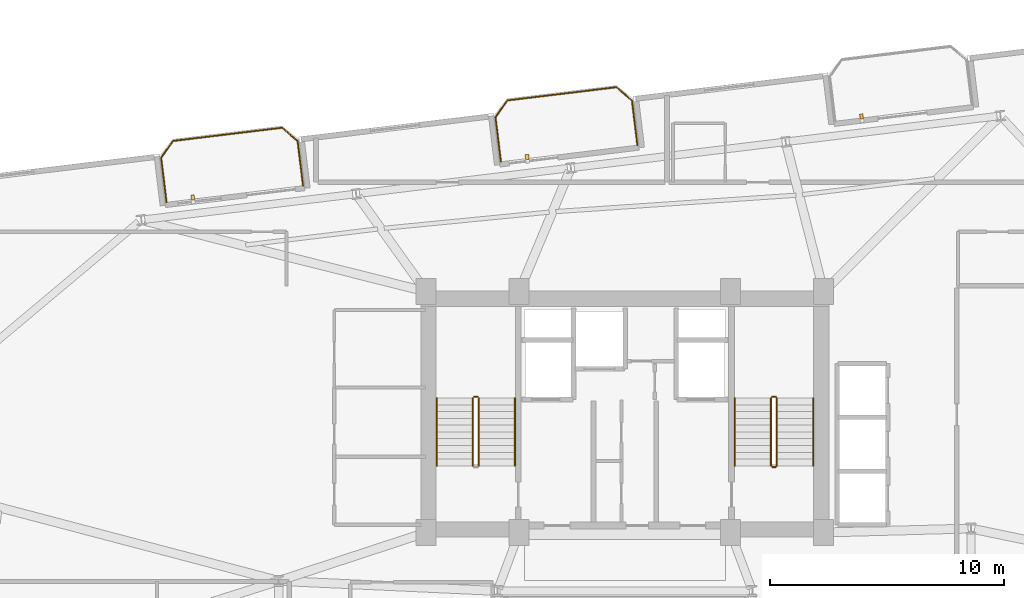
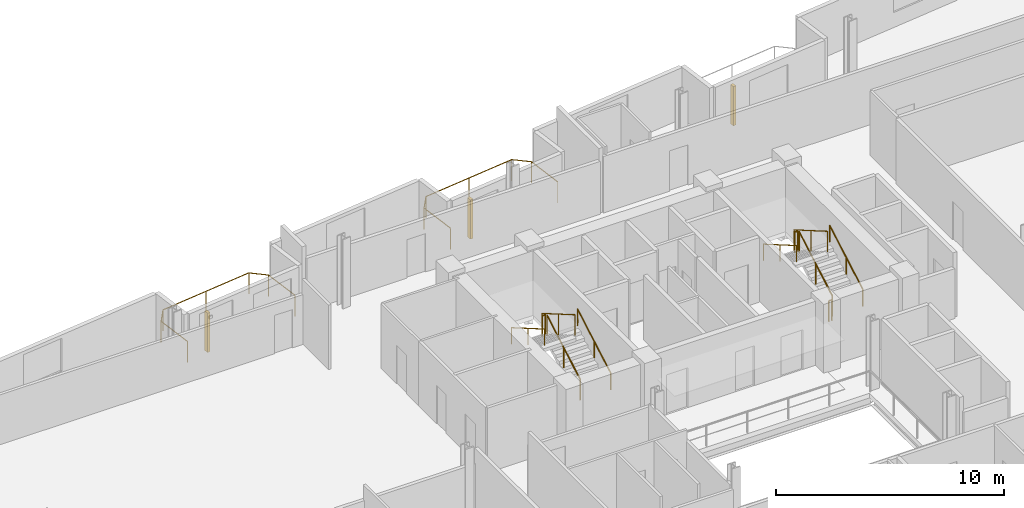
# One storey, part 22 of 23: 13 railings, 3 shading devices.
"""IFC4 building model written with IfcOpenShell, lengths in metres."""

import ifcopenshell
import ifcopenshell.guid

model = None  # the IFC model being written
_history = None  # IfcOwnerHistory: only IFC2X3 demands one
_inside = {}  # id of a spatial element -> (the spatial element, [elements in it])
_under = {}  # id of a project, library or spatial element -> (it, [spatial elements below it])
_declared = {}  # id of a project -> (the project, [libraries it declares])
_typed = {}  # id of a type object -> (the type object, [elements of that type])
_made_of = {}  # id of a material, layer set ... -> (it, [elements and type objects made of it])


def new_model(schema):
    """Start an empty IFC model of exactly this schema.

    Asked for "IFC4X3", IfcOpenShell would pick the latest addendum, in which some entities
    have other attributes; the version numbers below select the first issue.
    IFC2X3 requires an IfcOwnerHistory on every rooted entity: one is made here for all.
    """
    global model, _history
    if schema == "IFC4X3":
        model = ifcopenshell.file(schema_version=(4, 3, 0, 0))
    else:
        model = ifcopenshell.file(schema=schema)
    _inside.clear()
    _under.clear()
    _declared.clear()
    _typed.clear()
    _made_of.clear()
    _history = None
    if model.schema == "IFC2X3":
        org = make("IfcOrganization", Name="unknown")
        user = make(
            "IfcPersonAndOrganization",
            ThePerson=make("IfcPerson", FamilyName="unknown"),
            TheOrganization=org,
        )
        app = make(
            "IfcApplication",
            ApplicationDeveloper=org,
            Version="unknown",
            ApplicationFullName="unknown",
            ApplicationIdentifier="unknown",
        )
        _history = make(
            "IfcOwnerHistory",
            OwningUser=user,
            OwningApplication=app,
            ChangeAction="ADDED",
            CreationDate=0,
        )
    return model


def make(cls, **values):
    """One entity of the class cls with the attributes given. An attribute that is None is left unset."""
    return model.create_entity(
        cls, **{name: value for name, value in values.items() if value is not None}
    )


def rooted(cls, **values):
    """An entity with a GlobalId (a new one), such as an element, a storey or a relation."""
    return make(cls, GlobalId=ifcopenshell.guid.new(), OwnerHistory=_history, **values)


def si_unit(unit_type, name, prefix=None):
    """IfcSIUnit, for example si_unit("LENGTHUNIT", "METRE", prefix="MILLI")."""
    return make("IfcSIUnit", UnitType=unit_type, Prefix=prefix, Name=name)


def assignment(units):
    """IfcUnitAssignment: the units of a project."""
    return None if units is None else make("IfcUnitAssignment", Units=units)


def point(xyz):
    """IfcCartesianPoint."""
    return None if xyz is None else make("IfcCartesianPoint", Coordinates=xyz)


def direction(xyz):
    """IfcDirection."""
    return None if xyz is None else make("IfcDirection", DirectionRatios=xyz)


def frame(location, z_axis=None, x_axis=None):
    """IfcAxis2Placement3D, a coordinate frame: its origin and axes. An axis left out is left unset."""
    return make(
        "IfcAxis2Placement3D",
        Location=point(location),
        Axis=direction(z_axis),
        RefDirection=direction(x_axis),
    )


def frame_2d(location, x_axis=None):
    """IfcAxis2Placement2D, a coordinate frame in the plane: its origin and x axis."""
    return make(
        "IfcAxis2Placement2D", Location=point(location), RefDirection=direction(x_axis)
    )


def origin():
    """The frame at (0, 0, 0) with its axes left unset."""
    return frame((0.0, 0.0, 0.0))


def origin_2d():
    """The frame at (0, 0) in the plane with its x axis left unset."""
    return frame_2d((0.0, 0.0))


def place(relative_to, where):
    """IfcLocalPlacement: puts the frame where relative to a parent placement (None: the world)."""
    return make(
        "IfcLocalPlacement", PlacementRelTo=relative_to, RelativePlacement=where
    )


def context(
    kind, dimensions, precision=None, world=None, true_north=None, identifier=None
):
    """IfcGeometricRepresentationContext, for example the 3D "Model" context."""
    return make(
        "IfcGeometricRepresentationContext",
        ContextIdentifier=identifier,
        ContextType=kind,
        CoordinateSpaceDimension=dimensions,
        Precision=precision,
        WorldCoordinateSystem=world,
        TrueNorth=true_north,
    )


def subcontext(parent, identifier, kind, view, scale=None):
    """IfcGeometricRepresentationSubContext, for example "Body" below "Model"."""
    return make(
        "IfcGeometricRepresentationSubContext",
        ContextIdentifier=identifier,
        ContextType=kind,
        ParentContext=parent,
        TargetScale=scale,
        TargetView=view,
    )


def project(units=None, contexts=None):
    """IfcProject with its units and contexts."""
    return rooted(
        "IfcProject",
        Name="project",
        RepresentationContexts=contexts,
        UnitsInContext=assignment(units),
    )


def spatial(cls, under=None, at=None, **own):
    """A site, building, storey or space (cls), placed at a placement, below another one or the project."""
    s = rooted(cls, ObjectPlacement=at, **own)
    if under is not None:
        _under.setdefault(under.id(), (under, []))[1].append(s)
    return s


def profile(cls, at=None, kind="AREA", **sizes):
    """A parametric profile (cls). Its sizes go by their IFC names, for example OverallWidth=200.0."""
    return make(cls, ProfileType=kind, Position=at, **sizes)


def rectangle(**sizes):
    """IfcRectangleProfileDef."""
    return profile("IfcRectangleProfileDef", **sizes)


def circle(**sizes):
    """IfcCircleProfileDef."""
    return profile("IfcCircleProfileDef", **sizes)


def extrude(swept, where, along, depth):
    """IfcExtrudedAreaSolid: the profile swept, set in the frame where, extruded along a direction by depth."""
    return make(
        "IfcExtrudedAreaSolid",
        SweptArea=swept,
        Position=where,
        ExtrudedDirection=direction(along),
        Depth=depth,
    )


def shape(context_of_items, identifier, shape_type, items):
    """IfcShapeRepresentation: the items that make up one representation, for example the "Body"."""
    return make(
        "IfcShapeRepresentation",
        ContextOfItems=context_of_items,
        RepresentationIdentifier=identifier,
        RepresentationType=shape_type,
        Items=items,
    )


def source(mapping_origin, context_of_items, identifier, shape_type, items):
    """IfcRepresentationMap: a shape defined once, which mapped items show again and again."""
    return make(
        "IfcRepresentationMap",
        MappingOrigin=mapping_origin,
        MappedRepresentation=shape(context_of_items, identifier, shape_type, items),
    )


def transform(
    local_origin,
    x_axis=None,
    y_axis=None,
    z_axis=None,
    scale=None,
    scale2=None,
    scale3=None,
    uniform=True,
):
    """IfcCartesianTransformationOperator3D, or its non-uniform kind. x_axis, y_axis, z_axis: its Axis1, 2, 3."""
    if uniform:
        return make(
            "IfcCartesianTransformationOperator3D",
            Axis1=direction(x_axis),
            Axis2=direction(y_axis),
            LocalOrigin=point(local_origin),
            Scale=scale,
            Axis3=direction(z_axis),
        )
    return make(
        "IfcCartesianTransformationOperator3DnonUniform",
        Axis1=direction(x_axis),
        Axis2=direction(y_axis),
        LocalOrigin=point(local_origin),
        Scale=scale,
        Axis3=direction(z_axis),
        Scale2=scale2,
        Scale3=scale3,
    )


def mapped(mapping_source, mapping_target):
    """IfcMappedItem: shows the shape of a source again, moved by a transform."""
    return make(
        "IfcMappedItem", MappingSource=mapping_source, MappingTarget=mapping_target
    )


def material(Name=None, Category=None):
    """IfcMaterial."""
    return make("IfcMaterial", Name=Name, Category=Category)


def made_of(thing, what):
    """Note that an element or type object is made of a material, layer set ...; save() writes the relation."""
    if what is not None:
        _made_of.setdefault(what.id(), (what, []))[1].append(thing)
    return thing


def type_object(cls, material=None, **own):
    """A type object (cls), such as IfcWallType, which elements share."""
    return made_of(rooted(cls, **own), material)


def element(
    cls,
    number,
    at=None,
    inside=None,
    cuts=None,
    type_object=None,
    material=None,
    context=None,
    identifier="Body",
    shape_type=None,
    held_by="IfcProductDefinitionShape",
    body=None,
    shapes=None,
    **own,
):
    """One element of the class cls, such as IfcWall. Its Tag is "e" and its number.

    at: its placement. inside: the storey or other place that contains it. cuts: it is an
    opening in that element (IfcRelVoidsElement). A single representation is given by context,
    identifier, shape_type and body (its items); several are given by shapes. held_by: the class
    of the entity that holds the representations. save() writes the other relations.
    """
    e = rooted(cls, Tag="e%d" % number, ObjectPlacement=at, **own)
    if body is not None:
        shapes = [shape(context, identifier, shape_type, body)]
    if shapes is not None:
        e.Representation = make(held_by, Representations=shapes)
    if inside is not None:
        _inside.setdefault(inside.id(), (inside, []))[1].append(e)
    if cuts is not None:
        rooted(
            "IfcRelVoidsElement", RelatingBuildingElement=cuts, RelatedOpeningElement=e
        )
    if type_object is not None:
        _typed.setdefault(type_object.id(), (type_object, []))[1].append(e)
    return made_of(e, material)


def aggregate(whole, parts):
    """IfcRelAggregates: a whole, such as a stair, and the parts it consists of."""
    return rooted("IfcRelAggregates", RelatingObject=whole, RelatedObjects=parts)


def save(model, path):
    """Write the relations noted so far, then the file.

    IfcRelAggregates (storeys below a building ...), IfcRelContainedInSpatialStructure (elements
    in a storey), IfcRelDefinesByType, IfcRelAssociatesMaterial and IfcRelDeclares: one each for
    every whole, place, type object, material and project.
    """
    for whole, parts in _under.values():
        aggregate(whole, parts)
    for where, things in _inside.values():
        rooted(
            "IfcRelContainedInSpatialStructure",
            RelatedElements=things,
            RelatingStructure=where,
        )
    for kind, things in _typed.values():
        rooted("IfcRelDefinesByType", RelatedObjects=things, RelatingType=kind)
    for what, things in _made_of.values():
        rooted("IfcRelAssociatesMaterial", RelatedObjects=things, RelatingMaterial=what)
    for by, libraries in _declared.values():
        rooted("IfcRelDeclares", RelatingContext=by, RelatedDefinitions=libraries)
    model.write(path)


model = new_model("IFC4")

# Units and contexts
model_context = context("Model", 3, precision=1e-05, world=origin(), true_north=direction((0.0, 1.0)))
body_context = subcontext(model_context, "Body", "Model", "MODEL_VIEW")
ifc_project = project(units=[si_unit("LENGTHUNIT", "METRE"), si_unit("AREAUNIT", "SQUARE_METRE"), si_unit("VOLUMEUNIT", "CUBIC_METRE"), si_unit("PLANEANGLEUNIT", "RADIAN"), si_unit("MASSUNIT", "GRAM", prefix="KILO")], contexts=[model_context])

# Site, building, storey
site_placement = place(None, origin())
site = spatial("IfcSite", under=ifc_project, at=site_placement, CompositionType="ELEMENT")
building_placement = place(site_placement, origin())
building = spatial("IfcBuilding", under=site, at=building_placement, Name="Varnelok Gate Tower", CompositionType="ELEMENT")
storey_placement = place(building_placement, frame((0.0, 0.0, 189.39990234375)))
storey = spatial("IfcBuildingStorey", under=building, at=storey_placement, Name="L48", CompositionType="ELEMENT", Elevation=189.39990234375)

# Railings
ifc_material_1 = material(Name="Low-E Laminated Double Glazing IGU", Category="glass")
railing_type_1 = type_object("IfcRailingType", Name="RL-BALC-1150", PredefinedType="BALUSTRADE", material=ifc_material_1)
railing_1_placement = place(storey_placement, frame((19.603271484375, 42.869384765625, 0.0)))
element("IfcRailing", 1, at=railing_1_placement, inside=storey, type_object=railing_type_1, Name="L48 North Terrace Balustrade 4", PredefinedType="BALUSTRADE", context=body_context, shape_type="SweptSolid", body=[
    extrude(circle(Radius=0.02392578125, at=origin_2d()), frame((0.0, 0.0, 1.1259765625), z_axis=(-0.120418709125, 0.992723191274, 0.0), x_axis=(-0.992723191274, -0.120418709125, 0.0)), (0.0, 0.0, 1.0), 1.919921875),
    extrude(circle(Radius=0.02392578125, at=origin_2d()), frame((-0.231201171875, 1.906005859375, 1.1259765625), z_axis=(0.57815621837, 0.815926091726, 0.0), x_axis=(-0.815926091726, 0.57815621837, 0.0)), (0.0, 0.0, 1.0), 0.8779296875),
    extrude(circle(Radius=0.02392578125, at=origin_2d()), frame((0.2763671875, 2.622314453125, 1.1259765625), z_axis=(0.992730585037, 0.120357739811, 0.0), x_axis=(-0.120357739811, 0.992730585037, 0.0)), (0.0, 0.0, 1.0), 4.699951171875),
    extrude(circle(Radius=0.02392578125, at=origin_2d()), frame((4.942138671875, 3.18798828125, 1.1259765625), z_axis=(0.756285086452, -0.654242208979, 0.0), x_axis=(0.654242208979, 0.756285086452, 0.0)), (0.0, 0.0, 1.0), 0.878173828125),
    extrude(circle(Radius=0.02392578125, at=origin_2d()), frame((5.606201171875, 2.613525390625, 1.1259765625), z_axis=(0.120293392036, -0.992738384386, 0.0), x_axis=(0.992738384386, 0.120293392036, 0.0)), (0.0, 0.0, 1.0), 1.919921875),
    extrude(circle(Radius=0.02099609375, at=origin_2d()), origin(), (0.0, 0.0, 1.0), 1.101806640625),
    extrude(circle(Radius=0.02099609375, at=origin_2d()), frame((-0.231201171875, 1.906005859375, 0.0)), (0.0, 0.0, 1.0), 1.101806640625),
    extrude(circle(Radius=0.02099609375, at=origin_2d()), frame((0.2763671875, 2.622314453125, 0.0)), (0.0, 0.0, 1.0), 1.101806640625),
    extrude(circle(Radius=0.02099609375, at=origin_2d()), frame((2.609375, 2.9052734375, 0.0)), (0.0, 0.0, 1.0), 1.101806640625),
    extrude(circle(Radius=0.02099609375, at=origin_2d()), frame((4.942138671875, 3.18798828125, 0.0)), (0.0, 0.0, 1.0), 1.101806640625),
    extrude(circle(Radius=0.02099609375, at=origin_2d()), frame((5.606201171875, 2.613525390625, 0.0)), (0.0, 0.0, 1.0), 1.101806640625),
    extrude(circle(Radius=0.02099609375, at=origin_2d()), frame((5.837158203125, 0.70751953125, 0.0)), (0.0, 0.0, 1.0), 1.101806640625),
])
railing_2_placement = place(storey_placement, frame((33.8984375, 44.602294921875, 0.0)))
element("IfcRailing", 2, at=railing_2_placement, inside=storey, type_object=railing_type_1, Name="L48 North Terrace Balustrade 5", PredefinedType="BALUSTRADE", context=body_context, shape_type="SweptSolid", body=[
    extrude(circle(Radius=0.02392578125, at=origin_2d()), frame((0.0, 0.0, 1.1259765625), z_axis=(-0.120293392036, 0.992738384386, 0.0), x_axis=(-0.992738384386, -0.120293392036, 0.0)), (0.0, 0.0, 1.0), 1.919921875),
    extrude(circle(Radius=0.02392578125, at=origin_2d()), frame((-0.23095703125, 1.906005859375, 1.1259765625), z_axis=(0.57815621837, 0.815926091726, 0.0), x_axis=(-0.815926091726, 0.57815621837, 0.0)), (0.0, 0.0, 1.0), 0.8779296875),
    extrude(circle(Radius=0.02392578125, at=origin_2d()), frame((0.276611328125, 2.622314453125, 1.1259765625), z_axis=(0.992730585037, 0.120357739811, 0.0), x_axis=(-0.120357739811, 0.992730585037, 0.0)), (0.0, 0.0, 1.0), 4.699951171875),
    extrude(circle(Radius=0.02392578125, at=origin_2d()), frame((4.9423828125, 3.18798828125, 1.1259765625), z_axis=(0.756303655992, -0.654220742513, 0.0), x_axis=(0.654220742513, 0.756303655992, 0.0)), (0.0, 0.0, 1.0), 0.877685546875),
    extrude(circle(Radius=0.02392578125, at=origin_2d()), frame((5.606201171875, 2.61376953125, 1.1259765625), z_axis=(0.12040351024, -0.992725034802, 0.0), x_axis=(0.992725034802, 0.12040351024, 0.0)), (0.0, 0.0, 1.0), 1.920166015625),
    extrude(circle(Radius=0.02099609375, at=origin_2d()), origin(), (0.0, 0.0, 1.0), 1.101806640625),
    extrude(circle(Radius=0.02099609375, at=origin_2d()), frame((-0.23095703125, 1.906005859375, 0.0)), (0.0, 0.0, 1.0), 1.101806640625),
    extrude(circle(Radius=0.02099609375, at=origin_2d()), frame((0.276611328125, 2.622314453125, 0.0)), (0.0, 0.0, 1.0), 1.101806640625),
    extrude(circle(Radius=0.02099609375, at=origin_2d()), frame((2.609375, 2.9052734375, 0.0)), (0.0, 0.0, 1.0), 1.101806640625),
    extrude(circle(Radius=0.02099609375, at=origin_2d()), frame((4.9423828125, 3.18798828125, 0.0)), (0.0, 0.0, 1.0), 1.101806640625),
    extrude(circle(Radius=0.02099609375, at=origin_2d()), frame((5.606201171875, 2.61376953125, 0.0)), (0.0, 0.0, 1.0), 1.101806640625),
    extrude(circle(Radius=0.02099609375, at=origin_2d()), frame((5.83740234375, 0.70751953125, 0.0)), (0.0, 0.0, 1.0), 1.101806640625),
])
ifc_material_2 = material(Name="Brushed Stainless Steel AISI 316", Category="steel")
railing_type_2 = type_object("IfcRailingType", Name="RL-HANDRAIL-900", PredefinedType="HANDRAIL", material=ifc_material_2)
railing_3_placement = place(storey_placement, frame((34.5, 31.60009765625, 0.168212890625)))
element("IfcRailing", 3, at=railing_3_placement, inside=storey, type_object=railing_type_2, Name="L48 ST-1 stair handrail 1", PredefinedType="HANDRAIL", context=body_context, shape_type="SweptSolid", body=[
    extrude(circle(Radius=0.02392578125, at=origin_2d()), frame((0.0, 0.0, 0.8759765625), z_axis=(0.0, 0.865038774852, 0.501705010941), x_axis=(-1.0, 0.0, 0.0)), (0.0, 0.0, 1.0), 3.352294921875),
    extrude(circle(Radius=0.02099609375, at=origin_2d()), origin(), (0.0, 0.0, 1.0), 0.851806640625),
    extrude(circle(Radius=0.02099609375, at=origin_2d()), frame((0.0, 1.449951171875, 0.8408203125)), (0.0, 0.0, 1.0), 0.851806640625),
    extrude(circle(Radius=0.02099609375, at=origin_2d()), frame((0.0, 2.89990234375, 1.681884765625)), (0.0, 0.0, 1.0), 0.851806640625),
])
railing_4_placement = place(storey_placement, frame((31.14990234375, 34.5, 2.018310546875)))
element("IfcRailing", 4, at=railing_4_placement, inside=storey, type_object=railing_type_2, Name="L48 ST-1 stair handrail 2", PredefinedType="HANDRAIL", context=body_context, shape_type="SweptSolid", body=[
    extrude(circle(Radius=0.02392578125, at=origin_2d()), frame((0.0, 0.0, 0.8759765625), z_axis=(0.0, -0.865038774852, 0.501705010941), x_axis=(1.0, 0.0, 0.0)), (0.0, 0.0, 1.0), 3.352294921875),
    extrude(circle(Radius=0.02099609375, at=origin_2d()), origin(), (0.0, 0.0, 1.0), 0.851806640625),
    extrude(circle(Radius=0.02099609375, at=origin_2d()), frame((0.0, -1.449951171875, 0.8408203125)), (0.0, 0.0, 1.0), 0.851806640625),
    extrude(circle(Radius=0.02099609375, at=origin_2d()), frame((0.0, -2.89990234375, 1.681884765625)), (0.0, 0.0, 1.0), 0.851806640625),
])
railing_5_placement = place(storey_placement, frame((47.25, 31.60009765625, 0.168212890625)))
element("IfcRailing", 5, at=railing_5_placement, inside=storey, type_object=railing_type_2, Name="L48 ST-2 stair handrail 1", PredefinedType="HANDRAIL", context=body_context, shape_type="SweptSolid", body=[
    extrude(circle(Radius=0.02392578125, at=origin_2d()), frame((0.0, 0.0, 0.8759765625), z_axis=(0.0, 0.865038774852, 0.501705010941), x_axis=(-1.0, 0.0, 0.0)), (0.0, 0.0, 1.0), 3.352294921875),
    extrude(circle(Radius=0.02099609375, at=origin_2d()), origin(), (0.0, 0.0, 1.0), 0.851806640625),
    extrude(circle(Radius=0.02099609375, at=origin_2d()), frame((0.0, 1.449951171875, 0.8408203125)), (0.0, 0.0, 1.0), 0.851806640625),
    extrude(circle(Radius=0.02099609375, at=origin_2d()), frame((0.0, 2.89990234375, 1.681884765625)), (0.0, 0.0, 1.0), 0.851806640625),
])
railing_6_placement = place(storey_placement, frame((43.89990234375, 34.5, 2.018310546875)))
element("IfcRailing", 6, at=railing_6_placement, inside=storey, type_object=railing_type_2, Name="L48 ST-2 stair handrail 2", PredefinedType="HANDRAIL", context=body_context, shape_type="SweptSolid", body=[
    extrude(circle(Radius=0.02392578125, at=origin_2d()), frame((0.0, 0.0, 0.8759765625), z_axis=(0.0, -0.865038774852, 0.501705010941), x_axis=(1.0, 0.0, 0.0)), (0.0, 0.0, 1.0), 3.352294921875),
    extrude(circle(Radius=0.02099609375, at=origin_2d()), origin(), (0.0, 0.0, 1.0), 0.851806640625),
    extrude(circle(Radius=0.02099609375, at=origin_2d()), frame((0.0, -1.449951171875, 0.8408203125)), (0.0, 0.0, 1.0), 0.851806640625),
    extrude(circle(Radius=0.02099609375, at=origin_2d()), frame((0.0, -2.89990234375, 1.681884765625)), (0.0, 0.0, 1.0), 0.851806640625),
])
ifc_material_3 = material(Name="Galvanized Steel Grade S350GD", Category="steel")
railing_type_3 = type_object("IfcRailingType", Name="RL-STAIR-GUARD1120", PredefinedType="GUARDRAIL", material=ifc_material_3)
railing_7_placement = place(storey_placement, frame((32.949951171875, 31.60009765625, 0.168212890625)))
element("IfcRailing", 7, at=railing_7_placement, inside=storey, type_object=railing_type_3, Name="L48 ST-1 stair guard 1", PredefinedType="GUARDRAIL", context=body_context, shape_type="SweptSolid", body=[
    extrude(circle(Radius=0.02392578125, at=origin_2d()), frame((0.0, 0.0, 1.09619140625), z_axis=(0.0, 0.865038774852, 0.501705010941), x_axis=(-1.0, 0.0, 0.0)), (0.0, 0.0, 1.0), 3.352294921875),
    extrude(circle(Radius=0.02099609375, at=origin_2d()), origin(), (0.0, 0.0, 1.0), 1.072021484375),
    extrude(circle(Radius=0.02099609375, at=origin_2d()), frame((0.0, 1.449951171875, 0.8408203125)), (0.0, 0.0, 1.0), 1.072021484375),
    extrude(circle(Radius=0.02099609375, at=origin_2d()), frame((0.0, 2.89990234375, 1.681884765625)), (0.0, 0.0, 1.0), 1.072021484375),
])
railing_8_placement = place(storey_placement, frame((32.89990234375, 34.550048828125, 1.85009765625)))
element("IfcRailing", 8, at=railing_8_placement, inside=storey, type_object=railing_type_3, Name="L48 ST-1 stair guard 2", PredefinedType="GUARDRAIL", context=body_context, shape_type="SweptSolid", body=[
    extrude(circle(Radius=0.02392578125, at=origin_2d()), frame((0.0, 0.0, 1.09619140625), z_axis=(-1.0, 0.0, 0.0), x_axis=(0.0, -1.0, 0.0)), (0.0, 0.0, 1.0), 0.14990234375),
    extrude(circle(Radius=0.02099609375, at=origin_2d()), origin(), (0.0, 0.0, 1.0), 1.072021484375),
    extrude(circle(Radius=0.02099609375, at=origin_2d()), frame((-0.14990234375, 0.0, 0.0)), (0.0, 0.0, 1.0), 1.072021484375),
])
railing_9_placement = place(storey_placement, frame((32.699951171875, 34.5, 2.018310546875)))
element("IfcRailing", 9, at=railing_9_placement, inside=storey, type_object=railing_type_3, Name="L48 ST-1 stair guard 3", PredefinedType="GUARDRAIL", context=body_context, shape_type="SweptSolid", body=[
    extrude(circle(Radius=0.02392578125, at=origin_2d()), frame((0.0, 0.0, 1.09619140625), z_axis=(0.0, -0.865038774852, 0.501705010941), x_axis=(1.0, 0.0, 0.0)), (0.0, 0.0, 1.0), 3.352294921875),
    extrude(circle(Radius=0.02099609375, at=origin_2d()), origin(), (0.0, 0.0, 1.0), 1.072021484375),
    extrude(circle(Radius=0.02099609375, at=origin_2d()), frame((0.0, -1.449951171875, 0.8408203125)), (0.0, 0.0, 1.0), 1.072021484375),
    extrude(circle(Radius=0.02099609375, at=origin_2d()), frame((0.0, -2.89990234375, 1.681884765625)), (0.0, 0.0, 1.0), 1.072021484375),
])
railing_10_placement = place(storey_placement, frame((45.699951171875, 31.60009765625, 0.168212890625)))
element("IfcRailing", 10, at=railing_10_placement, inside=storey, type_object=railing_type_3, Name="L48 ST-2 stair guard 1", PredefinedType="GUARDRAIL", context=body_context, shape_type="SweptSolid", body=[
    extrude(circle(Radius=0.02392578125, at=origin_2d()), frame((0.0, 0.0, 1.09619140625), z_axis=(0.0, 0.865038774852, 0.501705010941), x_axis=(-1.0, 0.0, 0.0)), (0.0, 0.0, 1.0), 3.352294921875),
    extrude(circle(Radius=0.02099609375, at=origin_2d()), origin(), (0.0, 0.0, 1.0), 1.072021484375),
    extrude(circle(Radius=0.02099609375, at=origin_2d()), frame((0.0, 1.449951171875, 0.8408203125)), (0.0, 0.0, 1.0), 1.072021484375),
    extrude(circle(Radius=0.02099609375, at=origin_2d()), frame((0.0, 2.89990234375, 1.681884765625)), (0.0, 0.0, 1.0), 1.072021484375),
])
railing_11_placement = place(storey_placement, frame((45.64990234375, 34.550048828125, 1.85009765625)))
element("IfcRailing", 11, at=railing_11_placement, inside=storey, type_object=railing_type_3, Name="L48 ST-2 stair guard 2", PredefinedType="GUARDRAIL", context=body_context, shape_type="SweptSolid", body=[
    extrude(circle(Radius=0.02392578125, at=origin_2d()), frame((0.0, 0.0, 1.09619140625), z_axis=(-1.0, 0.0, 0.0), x_axis=(0.0, -1.0, 0.0)), (0.0, 0.0, 1.0), 0.14990234375),
    extrude(circle(Radius=0.02099609375, at=origin_2d()), origin(), (0.0, 0.0, 1.0), 1.072021484375),
    extrude(circle(Radius=0.02099609375, at=origin_2d()), frame((-0.14990234375, 0.0, 0.0)), (0.0, 0.0, 1.0), 1.072021484375),
])
railing_12_placement = place(storey_placement, frame((45.449951171875, 34.5, 2.018310546875)))
element("IfcRailing", 12, at=railing_12_placement, inside=storey, type_object=railing_type_3, Name="L48 ST-2 stair guard 3", PredefinedType="GUARDRAIL", context=body_context, shape_type="SweptSolid", body=[
    extrude(circle(Radius=0.02392578125, at=origin_2d()), frame((0.0, 0.0, 1.09619140625), z_axis=(0.0, -0.865038774852, 0.501705010941), x_axis=(1.0, 0.0, 0.0)), (0.0, 0.0, 1.0), 3.352294921875),
    extrude(circle(Radius=0.02099609375, at=origin_2d()), origin(), (0.0, 0.0, 1.0), 1.072021484375),
    extrude(circle(Radius=0.02099609375, at=origin_2d()), frame((0.0, -1.449951171875, 0.8408203125)), (0.0, 0.0, 1.0), 1.072021484375),
    extrude(circle(Radius=0.02099609375, at=origin_2d()), frame((0.0, -2.89990234375, 1.681884765625)), (0.0, 0.0, 1.0), 1.072021484375),
])
railing_13_placement = place(storey_placement, frame((45.64990234375, 31.550048828125, 0.0)))
element("IfcRailing", 13, at=railing_13_placement, inside=storey, type_object=railing_type_3, Name="L48 ST-2 stair guard 4", PredefinedType="GUARDRAIL", context=body_context, shape_type="SweptSolid", body=[
    extrude(circle(Radius=0.02392578125, at=origin_2d()), frame((0.0, 0.0, 1.09619140625), z_axis=(-1.0, 0.0, 0.0), x_axis=(0.0, -1.0, 0.0)), (0.0, 0.0, 1.0), 0.14990234375),
    extrude(circle(Radius=0.02099609375, at=origin_2d()), origin(), (0.0, 0.0, 1.0), 1.072021484375),
    extrude(circle(Radius=0.02099609375, at=origin_2d()), frame((-0.14990234375, 0.0, 0.0)), (0.0, 0.0, 1.0), 1.072021484375),
])

# Shading devices
ifc_material_4 = material(Name="Glazed Architectural Terracotta Ceramic", Category="masonry")
shading_device_type = type_object("IfcShadingDeviceType", Name="SHD-TERRA-BAGUETTE", PredefinedType="USERDEFINED", material=ifc_material_4)
shared_shape = source(origin(), body_context, "Body", "SweptSolid", [
    extrude(rectangle(XDim=0.139892578125, YDim=0.219970703125, at=origin_2d()), origin(), (0.0, 0.0, 1.0), 2.10009765625),
])
for number, where, z_axis, x_axis, name in (
    (14, (20.7265625, 43.075927734375, 0.10009765625), (0.0, 0.0, 1.0), (0.992732158755, 0.12034475881, 0.0), "L48 Terracotta Ceramic Baguette Sunscreen 4.1"),
    (15, (35.021728515625, 44.80908203125, 0.10009765625), (0.0, 0.0, 1.0), (0.992732158755, 0.12034475881, 0.0), "L48 Terracotta Ceramic Baguette Sunscreen 5.1"),
    (16, (49.317138671875, 46.5419921875, 0.10009765625), (0.0, 0.0, 1.0), (0.992732158755, 0.12034475881, 0.0), "L48 Terracotta Ceramic Baguette Sunscreen 6.1"),
):
    element("IfcShadingDevice", number, at=place(storey_placement, frame(where, z_axis=z_axis, x_axis=x_axis)), inside=storey, type_object=shading_device_type, Name=name, ObjectType="BAGUETTE", PredefinedType="USERDEFINED", context=body_context, shape_type="MappedRepresentation", body=[
        mapped(shared_shape, transform((0.0, 0.0, 0.0), scale=1.0)),
    ])

save(model, "model.ifc")
